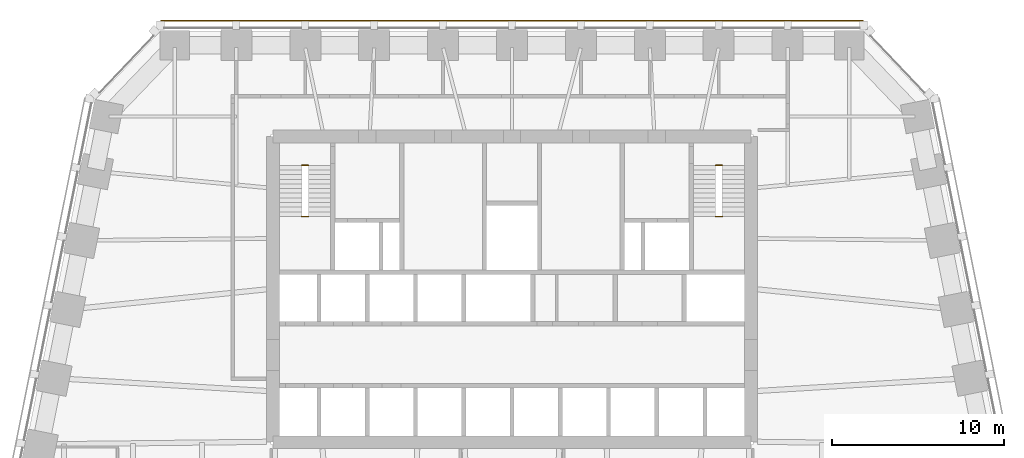
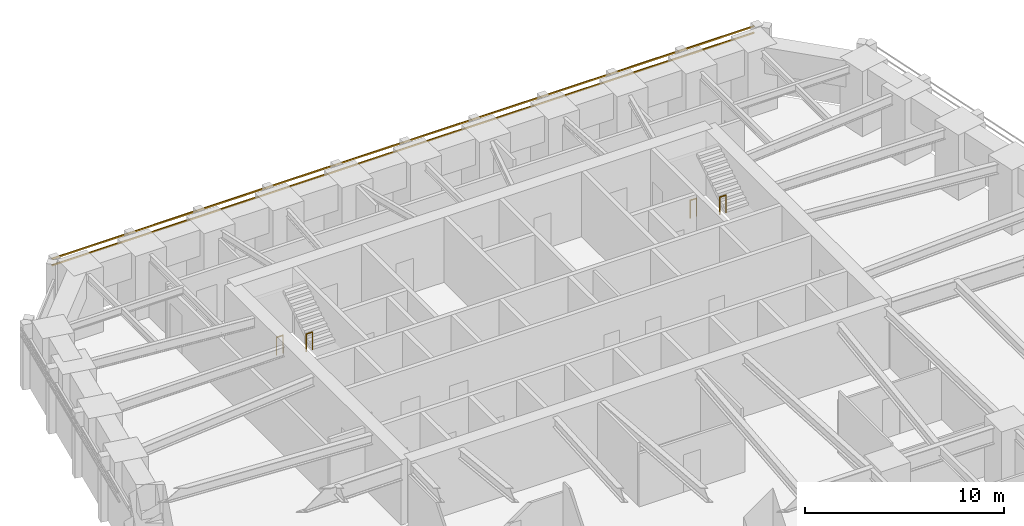
# One storey, part 9 of 9: 4 railings, 2 shading devices.
"""IFC4 building model written with IfcOpenShell, lengths in metres."""

from ifc_helpers import new_model, si_unit, direction, frame, origin, origin_2d, place, context, subcontext, project, spatial, rectangle, circle, extrude, material, material_profile, profile_set, type_object, element, save


model = new_model("IFC4")

# Units and contexts
model_context = context("Model", 3, precision=1e-05, world=origin(), true_north=direction((0.0, 1.0)))
body_context = subcontext(model_context, "Body", "Model", "MODEL_VIEW")
ifc_project = project(units=[si_unit("LENGTHUNIT", "METRE"), si_unit("AREAUNIT", "SQUARE_METRE"), si_unit("VOLUMEUNIT", "CUBIC_METRE"), si_unit("PLANEANGLEUNIT", "RADIAN"), si_unit("MASSUNIT", "GRAM", prefix="KILO")], contexts=[model_context])

# Site, building, storey
site_placement = place(None, origin())
site = spatial("IfcSite", under=ifc_project, at=site_placement, CompositionType="ELEMENT")
building_placement = place(site_placement, origin())
building = spatial("IfcBuilding", under=site, at=building_placement, Name="Isbrekke Arena Tower", CompositionType="ELEMENT")
storey_placement = place(building_placement, frame((0.0, 0.0, 127.0)))
storey = spatial("IfcBuildingStorey", under=building, at=storey_placement, Name="L28", CompositionType="ELEMENT", Elevation=127.0)

# Shading devices
ifc_material_1 = material(Name="Terracotta", Category="masonry")
ifc_material_profile = material_profile(ifc_material_1, rectangle(XDim=0.06005859375, YDim=0.06005859375, at=origin_2d()), Name="BAGUETTE 60X60")
ifc_profile_set = profile_set([ifc_material_profile], Name="Terracotta")
shading_device_type = type_object("IfcShadingDeviceType", Name="BG1 TERRACOTTA BAGUETTE 60 x 60", PredefinedType="USERDEFINED", material=ifc_profile_set)
for number, where, z_axis, x_axis, name in (
    (1, (20.39990234375, 30.60498046875, 3.280029296875), (-1.0, 0.0, 0.0), (0.0, -1.0, 0.0), "BG1 terracotta baguette N1 L28"),
    (2, (20.39990234375, 30.60498046875, 3.679931640625), (-1.0, 0.0, 0.0), (0.0, -1.0, 0.0), "BG1 terracotta baguette N2 L28"),
):
    element("IfcShadingDevice", number, at=place(storey_placement, frame(where, z_axis=z_axis, x_axis=x_axis)), inside=storey, type_object=shading_device_type, Name=name, ObjectType="TERRACOTTA BAGUETTE", PredefinedType="USERDEFINED", context=body_context, shape_type="SweptSolid", body=[
        extrude(rectangle(XDim=0.06005859375, YDim=0.06005859375, at=origin_2d()), origin(), (0.0, 0.0, 1.0), 40.7998046875),
    ])

# Railings
ifc_material_2 = material(Name="Steel stair guard, vertical bars, steel handrail", Category="steel")
railing_type = type_object("IfcRailingType", Name="GR3 STAIR WELL GUARD 1100", PredefinedType="GUARDRAIL", material=ifc_material_2)
for number, where, name in (
    (3, (-12.199951171875, 22.199951171875, 0.0), "GR3 stair well guard ST1 L28"),
    (4, (-12.199951171875, 19.22998046875, 2.0), "GR3 stair well guard ST1 L28"),
    (5, (11.824951171875, 22.199951171875, 0.0), "GR3 stair well guard ST2 L28"),
    (6, (11.824951171875, 19.22998046875, 2.0), "GR3 stair well guard ST2 L28"),
):
    element("IfcRailing", number, at=place(storey_placement, frame(where)), inside=storey, type_object=railing_type, Name=name, PredefinedType="GUARDRAIL", context=body_context, shape_type="SweptSolid", body=[
        extrude(circle(Radius=0.02392578125, at=origin_2d()), frame((0.0, 0.0, 1.076171875), z_axis=(1.0, 0.0, 0.0), x_axis=(0.0, 1.0, 0.0)), (0.0, 0.0, 1.0), 0.375),
        extrude(circle(Radius=0.02099609375, at=origin_2d()), origin(), (0.0, 0.0, 1.0), 1.052001953125),
        extrude(circle(Radius=0.02099609375, at=origin_2d()), frame((0.375, 0.0, 0.0)), (0.0, 0.0, 1.0), 1.052001953125),
    ])

save(model, "model.ifc")
